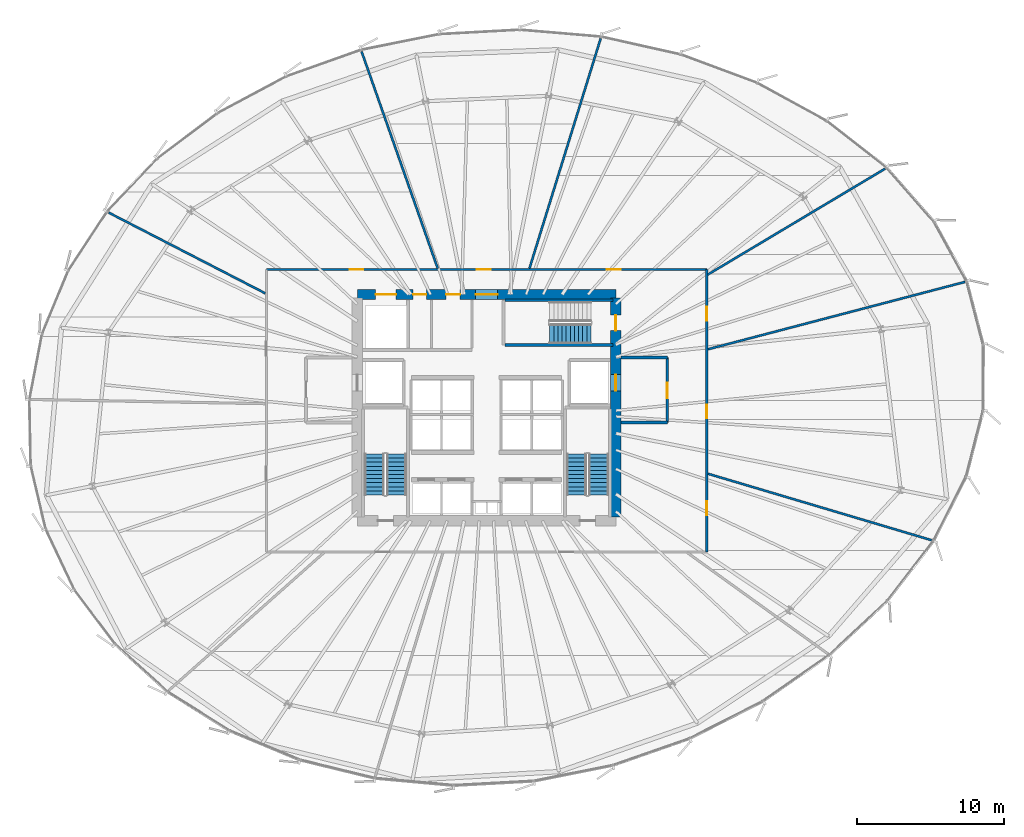
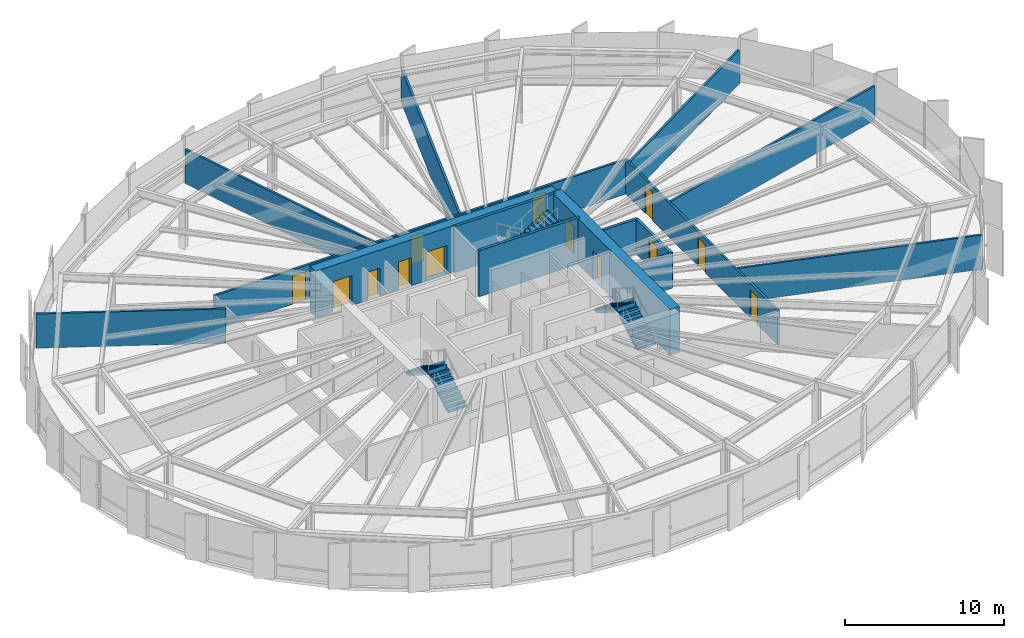
# One storey, part 31 of 37: 15 walls, 13 doors, 5 stair flights, 13 openings, 3 elements without a shape of their own.
"""IFC4 building model written with IfcOpenShell, lengths in metres."""

from ifc_helpers import new_model, si_unit, direction, frame, frame_2d, origin, place, context, subcontext, project, spatial, polyline, rectangle, outline, extrude, source, transform, mapped, material, layer, layer_set, type_object, element, fill, aggregate, save


model = new_model("IFC4")

# Units and contexts
model_context = context("Model", 3, precision=1e-05, world=origin(), true_north=direction((0.0, 1.0)))
body_context = subcontext(model_context, "Body", "Model", "MODEL_VIEW")
ifc_project = project(units=[si_unit("LENGTHUNIT", "METRE"), si_unit("AREAUNIT", "SQUARE_METRE"), si_unit("VOLUMEUNIT", "CUBIC_METRE"), si_unit("PLANEANGLEUNIT", "RADIAN"), si_unit("MASSUNIT", "GRAM", prefix="KILO"), si_unit("THERMODYNAMICTEMPERATUREUNIT", "KELVIN")], contexts=[model_context])

# Site, building, storey
site_placement = place(None, origin())
site = spatial("IfcSite", under=ifc_project, at=site_placement, CompositionType="ELEMENT")
building_placement = place(site_placement, origin())
building = spatial("IfcBuilding", under=site, at=building_placement, Name="Kethvar Cultural Tower", CompositionType="ELEMENT")
storey_placement = place(building_placement, frame((0.0, 0.0, 60.0)))
storey = spatial("IfcBuildingStorey", under=building, at=storey_placement, Name="L14", CompositionType="ELEMENT", Elevation=60.0)

# Wall, openings, doors
ifc_material_1 = material(Name="Concrete C60/75", Category="concrete")
ifc_layer_1 = layer(ifc_material_1, 0.699951171875, Name="Concrete C60/75", Category="concrete")
ifc_layer_set_1 = layer_set([ifc_layer_1], Name="Concrete C60/75 (700 mm)")
wall_type_1 = type_object("IfcWallType", Name="WL-CORE-700", PredefinedType="SHEAR", material=ifc_layer_set_1)
wall_1_placement = place(storey_placement, frame((55.60009765625, 35.5, 0.0), z_axis=(0.0, 0.0, 1.0), x_axis=(-1.0, 0.0, 0.0)))
wall_1 = element("IfcWall", 1, at=wall_1_placement, inside=storey, type_object=wall_type_1, Name="L14 Core Shear Wall N", PredefinedType="SHEAR", context=body_context, shape_type="SweptSolid", body=[
    extrude(rectangle(XDim=17.60009765625, YDim=0.699951171875, at=frame_2d((8.800048828125, 0.0))), origin(), (0.0, 0.0, 1.0), 3.550048828125),
])
opening_1_placement = place(wall_1_placement, frame((8.050048828125, 0.0, 0.0)))
opening_1 = element("IfcOpeningElement", 2, at=opening_1_placement, cuts=wall_1, Name="Opening D-L14-LN", PredefinedType="OPENING", context=body_context, shape_type="SweptSolid", body=[
    extrude(rectangle(XDim=1.5, YDim=2.199951171875, at=frame_2d((0.75, 1.10009765625))), frame((0.0, 0.35986328125, 0.0), z_axis=(0.0, -1.0, 0.0), x_axis=(1.0, 0.0, 0.0)), (0.0, 0.0, 1.0), 0.719970703125),
])
opening_2_placement = place(wall_1_placement, frame((14.949951171875, 0.0, 0.0)))
opening_2 = element("IfcOpeningElement", 3, at=opening_2_placement, cuts=wall_1, Name="Opening LD-G1", PredefinedType="OPENING", context=body_context, shape_type="SweptSolid", body=[
    extrude(rectangle(XDim=1.39990234375, YDim=2.300048828125, at=frame_2d((0.699951171875, 1.14990234375))), frame((0.0, 0.35986328125, 0.0), z_axis=(0.0, -1.0, 0.0), x_axis=(1.0, 0.0, 0.0)), (0.0, 0.0, 1.0), 0.719970703125),
])
opening_3_placement = place(wall_1_placement, frame((12.89990234375, 0.0, 0.0)))
opening_3 = element("IfcOpeningElement", 4, at=opening_3_placement, cuts=wall_1, Name="Opening D-L14-W1", PredefinedType="OPENING", context=body_context, shape_type="SweptSolid", body=[
    extrude(rectangle(XDim=0.89990234375, YDim=2.14990234375, at=frame_2d((0.449951171875, 1.074951171875))), frame((0.0, 0.35986328125, 0.0), z_axis=(0.0, -1.0, 0.0), x_axis=(1.0, 0.0, 0.0)), (0.0, 0.0, 1.0), 0.719970703125),
])
opening_4_placement = place(wall_1_placement, frame((10.60009765625, 0.0, 0.0)))
opening_4 = element("IfcOpeningElement", 5, at=opening_4_placement, cuts=wall_1, Name="Opening D-L14-W2", PredefinedType="OPENING", context=body_context, shape_type="SweptSolid", body=[
    extrude(rectangle(XDim=0.949951171875, YDim=2.14990234375, at=frame_2d((0.47509765625, 1.074951171875))), frame((0.0, 0.35986328125, 0.0), z_axis=(0.0, -1.0, 0.0), x_axis=(1.0, 0.0, 0.0)), (0.0, 0.0, 1.0), 0.719970703125),
])
ifc_material_2 = material(Name="Architectural Oak Timber", Category="wood")
door_type_1 = type_object("IfcDoorType", Name="DR-DBL-FD60-1500", OperationType="DOUBLE_DOOR_SINGLE_SWING", PredefinedType="DOOR", material=ifc_material_2)
shared_shape_1 = source(origin(), body_context, "Body", "SweptSolid", [
    extrude(rectangle(XDim=1.5, YDim=2.199951171875, at=frame_2d((0.75, 1.10009765625))), frame((0.0, 0.02490234375, 0.0), z_axis=(0.0, -1.0, 0.0), x_axis=(1.0, 0.0, 0.0)), (0.0, 0.0, 1.0), 0.050048828125),
])
door_1_placement = place(opening_1_placement, origin())
door_1 = element("IfcDoor", 6, at=door_1_placement, inside=storey, type_object=door_type_1, Name="L14 Lift Lobby Concourse Door", OperationType="DOUBLE_DOOR_SINGLE_SWING", OverallHeight=2.199951171875, OverallWidth=1.5, PredefinedType="DOOR", context=body_context, shape_type="MappedRepresentation", body=[
    mapped(shared_shape_1, transform((0.0, 0.0, 0.0), scale=1.0)),
])
fill(opening_1, door_1)
ifc_material_3 = material(Name="Steel S355J2", Category="steel")
door_type_2 = type_object("IfcDoorType", Name="DR-LIFT-SLIDE-1400", OperationType="NOTDEFINED", PredefinedType="DOOR", material=ifc_material_3)
shared_shape_2 = source(origin(), body_context, "Body", "SweptSolid", [
    extrude(rectangle(XDim=1.39990234375, YDim=2.300048828125, at=frame_2d((0.699951171875, 1.14990234375))), frame((0.0, 0.02490234375, 0.0), z_axis=(0.0, -1.0, 0.0), x_axis=(1.0, 0.0, 0.0)), (0.0, 0.0, 1.0), 0.050048828125),
])
door_2_placement = place(opening_2_placement, origin())
door_2 = element("IfcDoor", 7, at=door_2_placement, inside=storey, type_object=door_type_2, Name="L14 Goods Lift Landing Door", OperationType="SLIDING_TO_RIGHT", OverallHeight=2.300048828125, OverallWidth=1.39990234375, PredefinedType="DOOR", context=body_context, shape_type="MappedRepresentation", body=[
    mapped(shared_shape_2, transform((0.0, 0.0, 0.0), scale=1.0)),
])
fill(opening_2, door_2)
door_type_3 = type_object("IfcDoorType", Name="DR-FD30-950", OperationType="NOTDEFINED", PredefinedType="DOOR", material=ifc_material_2)
shared_shape_3 = source(origin(), body_context, "Body", "SweptSolid", [
    extrude(rectangle(XDim=0.949951171875, YDim=2.14990234375, at=frame_2d((0.47509765625, 1.074951171875))), frame((0.0, 0.02490234375, 0.0), z_axis=(0.0, -1.0, 0.0), x_axis=(1.0, 0.0, 0.0)), (0.0, 0.0, 1.0), 0.050048828125),
])
door_3_placement = place(opening_4_placement, origin())
door_3 = element("IfcDoor", 8, at=door_3_placement, inside=storey, type_object=door_type_3, Name="L14 Public Washroom Door", OperationType="SINGLE_SWING_RIGHT", OverallHeight=2.14990234375, OverallWidth=0.949951171875, PredefinedType="DOOR", context=body_context, shape_type="MappedRepresentation", body=[
    mapped(shared_shape_3, transform((0.0, 0.0, 0.0), scale=1.0)),
])
fill(opening_4, door_3)
door_type_4 = type_object("IfcDoorType", Name="DR-FD30-900", OperationType="NOTDEFINED", PredefinedType="DOOR", material=ifc_material_2)
shared_shape_4 = source(origin(), body_context, "Body", "SweptSolid", [
    extrude(rectangle(XDim=0.89990234375, YDim=2.14990234375, at=frame_2d((0.449951171875, 1.074951171875))), frame((0.0, 0.02490234375, 0.0), z_axis=(0.0, -1.0, 0.0), x_axis=(1.0, 0.0, 0.0)), (0.0, 0.0, 1.0), 0.050048828125),
])
door_4_placement = place(opening_3_placement, origin())
door_4 = element("IfcDoor", 9, at=door_4_placement, inside=storey, type_object=door_type_4, Name="L14 Accessible Washroom Door", OperationType="SINGLE_SWING_LEFT", OverallHeight=2.14990234375, OverallWidth=0.89990234375, PredefinedType="DOOR", context=body_context, shape_type="MappedRepresentation", body=[
    mapped(shared_shape_4, transform((0.0, 0.0, 0.0), scale=1.0)),
])
fill(opening_3, door_4)

wall_2_placement = place(storey_placement, frame((55.60009765625, 20.340087890625, 0.0), z_axis=(0.0, 0.0, 1.0), x_axis=(0.0, 1.0, 0.0)))
wall_2 = element("IfcWall", 10, at=wall_2_placement, inside=storey, type_object=wall_type_1, Name="L14 Core Shear Wall E", PredefinedType="SHEAR", context=body_context, shape_type="SweptSolid", body=[
    extrude(rectangle(XDim=14.919921875, YDim=0.699951171875, at=frame_2d((7.4599609375, 0.0))), origin(), (0.0, 0.0, 1.0), 3.550048828125),
])
opening_5_placement = place(wall_2_placement, frame((12.7099609375, 0.0, 0.0)))
opening_5 = element("IfcOpeningElement", 11, at=opening_5_placement, cuts=wall_2, Name="Opening D-L14-S3", PredefinedType="OPENING", context=body_context, shape_type="SweptSolid", body=[
    extrude(rectangle(XDim=1.050048828125, YDim=2.14990234375, at=frame_2d((0.52490234375, 1.074951171875))), frame((0.0, 0.35986328125, 0.0), z_axis=(0.0, -1.0, 0.0), x_axis=(1.0, 0.0, 0.0)), (0.0, 0.0, 1.0), 0.719970703125),
])
opening_6_placement = place(wall_2_placement, frame((8.610107421875, 0.0, 0.0)))
opening_6 = element("IfcOpeningElement", 12, at=opening_6_placement, cuts=wall_2, Name="Opening LD-2", PredefinedType="OPENING", context=body_context, shape_type="SweptSolid", body=[
    extrude(rectangle(XDim=1.10009765625, YDim=2.199951171875, at=frame_2d((0.550048828125, 1.10009765625))), frame((0.0, 0.35986328125, 0.0), z_axis=(0.0, -1.0, 0.0), x_axis=(1.0, 0.0, 0.0)), (0.0, 0.0, 1.0), 0.719970703125),
])
door_type_5 = type_object("IfcDoorType", Name="DR-FD60-1050", OperationType="NOTDEFINED", PredefinedType="DOOR", material=ifc_material_3)
shared_shape_5 = source(origin(), body_context, "Body", "SweptSolid", [
    extrude(rectangle(XDim=1.050048828125, YDim=2.14990234375, at=frame_2d((0.52490234375, 1.074951171875))), frame((0.0, 0.02490234375, 0.0), z_axis=(0.0, -1.0, 0.0), x_axis=(1.0, 0.0, 0.0)), (0.0, 0.0, 1.0), 0.050048828125),
])
door_5_placement = place(opening_5_placement, origin())
door_5 = element("IfcDoor", 13, at=door_5_placement, inside=storey, type_object=door_type_5, Name="L14 Exit Stair 3 Door", OperationType="SINGLE_SWING_LEFT", OverallHeight=2.14990234375, OverallWidth=1.050048828125, PredefinedType="DOOR", context=body_context, shape_type="MappedRepresentation", body=[
    mapped(shared_shape_5, transform((0.0, 0.0, 0.0), scale=1.0)),
])
fill(opening_5, door_5)
door_type_6 = type_object("IfcDoorType", Name="DR-LIFT-SLIDE-1100", OperationType="NOTDEFINED", PredefinedType="DOOR", material=ifc_material_3)
shared_shape_6 = source(origin(), body_context, "Body", "SweptSolid", [
    extrude(rectangle(XDim=1.10009765625, YDim=2.199951171875, at=frame_2d((0.550048828125, 1.10009765625))), frame((0.0, 0.02490234375, 0.0), z_axis=(0.0, -1.0, 0.0), x_axis=(1.0, 0.0, 0.0)), (0.0, 0.0, 1.0), 0.050048828125),
])
door_6_placement = place(opening_6_placement, origin())
door_6 = element("IfcDoor", 14, at=door_6_placement, inside=storey, type_object=door_type_6, Name="L14 Firefighting Lift Landing Door FFL-02", OperationType="SLIDING_TO_RIGHT", OverallHeight=2.199951171875, OverallWidth=1.10009765625, PredefinedType="DOOR", context=body_context, shape_type="MappedRepresentation", body=[
    mapped(shared_shape_6, transform((0.0, 0.0, 0.0), scale=1.0)),
])
fill(opening_6, door_6)

ifc_material_4 = material(Name="Gypsum Fireboard Partition")
ifc_layer_2 = layer(ifc_material_4, 0.14990234375, Name="Gypsum Fireboard Partition")
ifc_layer_set_2 = layer_set([ifc_layer_2], Name="Gypsum Fireboard Partition (150 mm)")
wall_type_2 = type_object("IfcWallType", Name="WL-FIRE-150", PredefinedType="PARTITIONING", material=ifc_layer_set_2)
wall_3_placement = place(storey_placement, frame((61.7900390625, 17.97998046875, 0.0), z_axis=(0.0, 0.0, 1.0), x_axis=(0.0, 1.0, 0.0)))
wall_3 = element("IfcWall", 15, at=wall_3_placement, inside=storey, type_object=wall_type_2, Name="L14 Corridor Rated Wall E", PredefinedType="PARTITIONING", context=body_context, shape_type="SweptSolid", body=[
    extrude(rectangle(XDim=19.219970703125, YDim=0.14990234375, at=frame_2d((9.60986328125, 0.0))), origin(), (0.0, 0.0, 1.0), 2.64501953125),
])
opening_7_placement = place(wall_3_placement, frame((2.4873046875, 0.0, 0.0)))
opening_7 = element("IfcOpeningElement", 16, at=opening_7_placement, cuts=wall_3, Name="Opening D-L14-03", PredefinedType="OPENING", context=body_context, shape_type="SweptSolid", body=[
    extrude(rectangle(XDim=0.949951171875, YDim=2.14990234375, at=frame_2d((0.47509765625, 1.074951171875))), frame((0.0, 0.0849609375, 0.0), z_axis=(0.0, -1.0, 0.0), x_axis=(1.0, 0.0, 0.0)), (0.0, 0.0, 1.0), 0.169921875),
])
opening_8_placement = place(wall_3_placement, frame((9.08251953125, 0.0, 0.0)))
opening_8 = element("IfcOpeningElement", 17, at=opening_8_placement, cuts=wall_3, Name="Opening D-L14-04", PredefinedType="OPENING", context=body_context, shape_type="SweptSolid", body=[
    extrude(rectangle(XDim=0.949951171875, YDim=2.14990234375, at=frame_2d((0.47509765625, 1.074951171875))), frame((0.0, 0.0849609375, 0.0), z_axis=(0.0, -1.0, 0.0), x_axis=(1.0, 0.0, 0.0)), (0.0, 0.0, 1.0), 0.169921875),
])
opening_9_placement = place(wall_3_placement, frame((15.731689453125, 0.0, 0.0)))
opening_9 = element("IfcOpeningElement", 18, at=opening_9_placement, cuts=wall_3, Name="Opening D-L14-05", PredefinedType="OPENING", context=body_context, shape_type="SweptSolid", body=[
    extrude(rectangle(XDim=0.949951171875, YDim=2.14990234375, at=frame_2d((0.47509765625, 1.074951171875))), frame((0.0, 0.0849609375, 0.0), z_axis=(0.0, -1.0, 0.0), x_axis=(1.0, 0.0, 0.0)), (0.0, 0.0, 1.0), 0.169921875),
])
door_7_placement = place(opening_7_placement, origin())
door_7 = element("IfcDoor", 19, at=door_7_placement, inside=storey, type_object=door_type_3, Name="L14 Art Monograph Boutique 03 Door", OperationType="SINGLE_SWING_LEFT", OverallHeight=2.14990234375, OverallWidth=0.949951171875, PredefinedType="DOOR", context=body_context, shape_type="MappedRepresentation", body=[
    mapped(shared_shape_3, transform((0.0, 0.0, 0.0), scale=1.0)),
])
fill(opening_7, door_7)
door_8_placement = place(opening_8_placement, origin())
door_8 = element("IfcDoor", 20, at=door_8_placement, inside=storey, type_object=door_type_3, Name="L14 Poster Edition Shop 04 Door", OperationType="SINGLE_SWING_RIGHT", OverallHeight=2.14990234375, OverallWidth=0.949951171875, PredefinedType="DOOR", context=body_context, shape_type="MappedRepresentation", body=[
    mapped(shared_shape_3, transform((0.0, 0.0, 0.0), scale=1.0)),
])
fill(opening_8, door_8)
door_9_placement = place(opening_9_placement, origin())
door_9 = element("IfcDoor", 21, at=door_9_placement, inside=storey, type_object=door_type_3, Name="L14 Rare Folio Storage 05 Door", OperationType="SINGLE_SWING_LEFT", OverallHeight=2.14990234375, OverallWidth=0.949951171875, PredefinedType="DOOR", context=body_context, shape_type="MappedRepresentation", body=[
    mapped(shared_shape_3, transform((0.0, 0.0, 0.0), scale=1.0)),
])
fill(opening_9, door_9)

wall_4_placement = place(storey_placement, frame((61.7900390625, 37.199951171875, 0.0), z_axis=(0.0, 0.0, 1.0), x_axis=(-1.0, 0.0, 0.0)))
wall_4 = element("IfcWall", 22, at=wall_4_placement, inside=storey, type_object=wall_type_2, Name="L14 Corridor Rated Wall N", PredefinedType="PARTITIONING", context=body_context, shape_type="SweptSolid", body=[
    extrude(rectangle(XDim=29.97998046875, YDim=0.14990234375, at=frame_2d((14.989990234375, 0.0))), origin(), (0.0, 0.0, 1.0), 2.64501953125),
])
opening_10_placement = place(wall_4_placement, frame((5.8623046875, 0.0, 0.0)))
opening_10 = element("IfcOpeningElement", 23, at=opening_10_placement, cuts=wall_4, Name="Opening D-L14-06", PredefinedType="OPENING", context=body_context, shape_type="SweptSolid", body=[
    extrude(rectangle(XDim=0.949951171875, YDim=2.14990234375, at=frame_2d((0.47509765625, 1.074951171875))), frame((0.0, 0.0849609375, 0.0), z_axis=(0.0, -1.0, 0.0), x_axis=(1.0, 0.0, 0.0)), (0.0, 0.0, 1.0), 0.169921875),
])
opening_11_placement = place(wall_4_placement, frame((14.71875, 0.0, 0.0)))
opening_11 = element("IfcOpeningElement", 24, at=opening_11_placement, cuts=wall_4, Name="Opening D-L14-07", PredefinedType="OPENING", context=body_context, shape_type="SweptSolid", body=[
    extrude(rectangle(XDim=0.949951171875, YDim=2.14990234375, at=frame_2d((0.47509765625, 1.074951171875))), frame((0.0, 0.0849609375, 0.0), z_axis=(0.0, -1.0, 0.0), x_axis=(1.0, 0.0, 0.0)), (0.0, 0.0, 1.0), 0.169921875),
])
opening_12_placement = place(wall_4_placement, frame((23.36962890625, 0.0, 0.0)))
opening_12 = element("IfcOpeningElement", 25, at=opening_12_placement, cuts=wall_4, Name="Opening D-L14-08", PredefinedType="OPENING", context=body_context, shape_type="SweptSolid", body=[
    extrude(rectangle(XDim=0.949951171875, YDim=2.14990234375, at=frame_2d((0.47509765625, 1.074951171875))), frame((0.0, 0.0849609375, 0.0), z_axis=(0.0, -1.0, 0.0), x_axis=(1.0, 0.0, 0.0)), (0.0, 0.0, 1.0), 0.169921875),
])
door_10_placement = place(opening_10_placement, origin())
door_10 = element("IfcDoor", 26, at=door_10_placement, inside=storey, type_object=door_type_3, Name="L14 Periodicals Reading Lounge 06 Door", OperationType="SINGLE_SWING_RIGHT", OverallHeight=2.14990234375, OverallWidth=0.949951171875, PredefinedType="DOOR", context=body_context, shape_type="MappedRepresentation", body=[
    mapped(shared_shape_3, transform((0.0, 0.0, 0.0), scale=1.0)),
])
fill(opening_10, door_10)
door_11_placement = place(opening_11_placement, origin())
door_11 = element("IfcDoor", 27, at=door_11_placement, inside=storey, type_object=door_type_3, Name="L14 Concourse Visitor Foyer 07 Door", OperationType="SINGLE_SWING_LEFT", OverallHeight=2.14990234375, OverallWidth=0.949951171875, PredefinedType="DOOR", context=body_context, shape_type="MappedRepresentation", body=[
    mapped(shared_shape_3, transform((0.0, 0.0, 0.0), scale=1.0)),
])
fill(opening_11, door_11)
door_12_placement = place(opening_12_placement, origin())
door_12 = element("IfcDoor", 28, at=door_12_placement, inside=storey, type_object=door_type_3, Name="L14 Institute Tea Pantry 08 Door", OperationType="SINGLE_SWING_RIGHT", OverallHeight=2.14990234375, OverallWidth=0.949951171875, PredefinedType="DOOR", context=body_context, shape_type="MappedRepresentation", body=[
    mapped(shared_shape_3, transform((0.0, 0.0, 0.0), scale=1.0)),
])
fill(opening_12, door_12)

# Wall, opening, door
ifc_material_5 = material(Name="Concrete C40/50", Category="concrete")
ifc_layer_3 = layer(ifc_material_5, 0.199951171875, Name="Concrete C40/50", Category="concrete")
ifc_layer_set_3 = layer_set([ifc_layer_3], Name="Concrete C40/50 (200 mm)")
wall_type_3 = type_object("IfcWallType", Name="WL-FIRE-200", PredefinedType="PARTITIONING", material=ifc_layer_set_3)
wall_5_placement = place(storey_placement, frame((59.10009765625, 26.800048828125, 0.0), z_axis=(0.0, 0.0, 1.0), x_axis=(0.0, 1.0, 0.0)))
wall_5 = element("IfcWall", 29, at=wall_5_placement, inside=storey, type_object=wall_type_3, Name="L14 Firefighting Lobby 2 Wall", PredefinedType="PARTITIONING", context=body_context, shape_type="SweptSolid", body=[
    extrude(rectangle(XDim=4.39990234375, YDim=0.199951171875, at=frame_2d((2.199951171875, 0.0))), origin(), (0.0, 0.0, 1.0), 2.64501953125),
])
opening_13_placement = place(wall_5_placement, frame((1.64990234375, 0.0, 0.0)))
opening_13 = element("IfcOpeningElement", 30, at=opening_13_placement, cuts=wall_5, Name="Opening D-L14-F2", PredefinedType="OPENING", context=body_context, shape_type="SweptSolid", body=[
    extrude(rectangle(XDim=1.050048828125, YDim=2.14990234375, at=frame_2d((0.52490234375, 1.074951171875))), frame((0.0, 0.10986328125, 0.0), z_axis=(0.0, -1.0, 0.0), x_axis=(1.0, 0.0, 0.0)), (0.0, 0.0, 1.0), 0.219970703125),
])
door_13_placement = place(opening_13_placement, origin())
door_13 = element("IfcDoor", 31, at=door_13_placement, inside=storey, type_object=door_type_5, Name="L14 Firefighting Lobby 2 Fire Door", OperationType="SINGLE_SWING_LEFT", OverallHeight=2.14990234375, OverallWidth=1.050048828125, PredefinedType="DOOR", context=body_context, shape_type="MappedRepresentation", body=[
    mapped(shared_shape_5, transform((0.0, 0.0, 0.0), scale=1.0)),
])
fill(opening_13, door_13)

# Walls
for number, where, z_axis, x_axis, name in (
    (32, (55.9599609375, 26.800048828125, 0.0), (0.0, 0.0, 1.0), (1.0, 0.0, 0.0), "L14 FF Lobby 2 South Wall"),
    (33, (55.9599609375, 31.199951171875, 0.0), (0.0, 0.0, 1.0), (1.0, 0.0, 0.0), "L14 FF Lobby 2 North Wall"),
):
    element("IfcWall", number, at=place(storey_placement, frame(where, z_axis=z_axis, x_axis=x_axis)), inside=storey, type_object=wall_type_3, Name=name, PredefinedType="PARTITIONING", context=body_context, shape_type="SweptSolid", body=[
        extrude(rectangle(XDim=3.14013671875, YDim=0.199951171875, at=frame_2d((1.570068359375, 0.0))), origin(), (0.0, 0.0, 1.0), 2.64501953125),
    ])
ifc_material_6 = material(Name="Gypsum Acoustic Partition")
ifc_layer_4 = layer(ifc_material_6, 0.14990234375, Name="Gypsum Acoustic Partition")
ifc_layer_set_4 = layer_set([ifc_layer_4], Name="Gypsum Acoustic Partition (150 mm)")
wall_type_4 = type_object("IfcWallType", Name="WL-PART-150", PredefinedType="PARTITIONING", material=ifc_layer_set_4)
wall_6_placement = place(storey_placement, frame((61.86669921875, 23.3017578125, 0.0), z_axis=(0.0, 0.0, 1.0), x_axis=(0.958583733274, -0.284810860578, 0.0)))
element("IfcWall", 34, at=wall_6_placement, inside=storey, type_object=wall_type_4, Name="L14 Radial Partition Wall 04", PredefinedType="PARTITIONING", context=body_context, shape_type="SweptSolid", body=[
    extrude(rectangle(XDim=15.897705078125, YDim=0.14990234375, at=frame_2d((7.94873046875, 0.0))), origin(), (0.0, 0.0, 1.0), 2.64501953125),
])
wall_7_placement = place(storey_placement, frame((61.867431640625, 31.7734375, 0.0), z_axis=(0.0, 0.0, 1.0), x_axis=(0.96734528528, 0.253462224103, 0.0)))
element("IfcWall", 35, at=wall_7_placement, inside=storey, type_object=wall_type_4, Name="L14 Radial Partition Wall 05", PredefinedType="PARTITIONING", context=body_context, shape_type="SweptSolid", body=[
    extrude(rectangle(XDim=18.09130859375, YDim=0.14990234375, at=frame_2d((9.045654296875, 0.0))), origin(), (0.0, 0.0, 1.0), 2.64501953125),
])
wall_8_placement = place(storey_placement, frame((61.858642578125, 36.8564453125, 0.0), z_axis=(0.0, 0.0, 1.0), x_axis=(0.858502804346, 0.512808867834, 0.0)))
element("IfcWall", 36, at=wall_8_placement, inside=storey, type_object=wall_type_4, Name="L14 Radial Partition Wall 06", PredefinedType="PARTITIONING", context=body_context, shape_type="SweptSolid", body=[
    extrude(rectangle(XDim=14.055419921875, YDim=0.14990234375, at=frame_2d((7.02783203125, 0.0))), origin(), (0.0, 0.0, 1.0), 2.64501953125),
])
wall_9_placement = place(storey_placement, frame((49.718994140625, 37.2763671875, 0.0), z_axis=(0.0, 0.0, 1.0), x_axis=(0.295808335605, 0.955247312787, 0.0)))
element("IfcWall", 37, at=wall_9_placement, inside=storey, type_object=wall_type_4, Name="L14 Radial Partition Wall 07", PredefinedType="PARTITIONING", context=body_context, shape_type="SweptSolid", body=[
    extrude(rectangle(XDim=16.389404296875, YDim=0.14990234375, at=frame_2d((8.19482421875, 0.0))), origin(), (0.0, 0.0, 1.0), 2.64501953125),
])
wall_10_placement = place(storey_placement, frame((43.474609375, 37.275390625, 0.0), z_axis=(0.0, 0.0, 1.0), x_axis=(-0.331121104833, 0.943588265047, 0.0)))
element("IfcWall", 38, at=wall_10_placement, inside=storey, type_object=wall_type_4, Name="L14 Radial Partition Wall 08", PredefinedType="PARTITIONING", context=body_context, shape_type="SweptSolid", body=[
    extrude(rectangle(XDim=15.646484375, YDim=0.14990234375, at=frame_2d((7.8232421875, 0.0))), origin(), (0.0, 0.0, 1.0), 2.64501953125),
])
wall_11_placement = place(storey_placement, frame((31.739013671875, 35.581298828125, 0.0), z_axis=(0.0, 0.0, 1.0), x_axis=(-0.888912808973, 0.458076432535, 0.0)))
element("IfcWall", 39, at=wall_11_placement, inside=storey, type_object=wall_type_4, Name="L14 Radial Partition Wall 09", PredefinedType="PARTITIONING", context=body_context, shape_type="SweptSolid", body=[
    extrude(rectangle(XDim=12.0009765625, YDim=0.14990234375, at=frame_2d((6.00048828125, 0.0))), origin(), (0.0, 0.0, 1.0), 2.64501953125),
])
ifc_material_7 = material(Name="Concrete C50/60", Category="concrete")
ifc_layer_5 = layer(ifc_material_7, 0.199951171875, Name="Concrete C50/60", Category="concrete")
ifc_layer_set_5 = layer_set([ifc_layer_5], Name="Concrete C50/60 (200 mm)")
wall_type_5 = type_object("IfcWallType", Name="WL-STSHAFT-200", PredefinedType="SHEAR", material=ifc_layer_set_5)
for number, where, z_axis, x_axis, name in (
    (40, (48.050048828125, 35.110107421875, 0.0), (0.0, 0.0, 1.0), (1.0, 0.0, 0.0), "L14 ST-03 Stair Shaft Wall LEFT"),
    (41, (55.39990234375, 32.050048828125, 0.0), (0.0, 0.0, 1.0), (-1.0, 0.0, 0.0), "L14 ST-03 Stair Shaft Wall RIGHT"),
):
    element("IfcWall", number, at=place(storey_placement, frame(where, z_axis=z_axis, x_axis=x_axis)), inside=storey, type_object=wall_type_5, Name=name, PredefinedType="SHEAR", context=body_context, shape_type="SweptSolid", body=[
        extrude(rectangle(XDim=7.349853515625, YDim=0.199951171875, at=frame_2d((3.6748046875, 0.0))), origin(), (0.0, 0.0, 1.0), 3.550048828125),
    ])

# Stair, stair flights
stair_type = type_object("IfcStairType", Name="ST-DOGLEG-135", PredefinedType="HALF_TURN_STAIR", material=ifc_material_5)
stair_1_placement = place(storey_placement, origin())
stair_1 = element("IfcStair", 42, at=stair_1_placement, inside=storey, type_object=stair_type, Name="L14 Core Exit Stair 1", PredefinedType="HALF_TURN_STAIR")
stair_flight_type = type_object("IfcStairFlightType", Name="FL-STRAIGHT-135", PredefinedType="STRAIGHT", material=ifc_material_5)
stair_flight_1_placement = place(storey_placement, frame((40.675048828125, 21.85009765625, 0.0), z_axis=(0.0, 0.0, 1.0), x_axis=(0.0, 1.0, 0.0)))
stair_flight_1 = element("IfcStairFlight", 43, at=stair_flight_1_placement, type_object=stair_flight_type, Name="ST-01 flight 1", NumberOfRisers=11, NumberOfTreads=10, PredefinedType="STRAIGHT", RiserHeight=0.172727273, TreadLength=0.28, context=body_context, shape_type="SweptSolid", body=[
    extrude(outline(polyline([(-0.0009765625, -0.0009765625), (-0.0009765625, 0.172607421875), (0.280029296875, 0.172607421875), (0.280029296875, 0.345458984375), (0.56005859375, 0.345458984375), (0.56005859375, 0.51806640625), (0.840087890625, 0.51806640625), (0.840087890625, 0.69091796875), (1.1201171875, 0.69091796875), (1.1201171875, 0.863525390625), (1.39990234375, 0.863525390625), (1.39990234375, 1.036376953125), (1.679931640625, 1.036376953125), (1.679931640625, 1.208984375), (1.9599609375, 1.208984375), (1.9599609375, 1.3818359375), (2.239990234375, 1.3818359375), (2.239990234375, 1.554443359375), (2.52001953125, 1.554443359375), (2.52001953125, 1.727294921875), (2.800048828125, 1.727294921875), (2.800048828125, 1.89990234375), (2.801025390625, 1.89990234375), (2.801025390625, 1.551025390625), (0.285400390625, 0.0), (0.0, -0.0009765625), (-0.0009765625, -0.0009765625)])), frame((0.0, 0.675048828125, 0.0), z_axis=(0.0, -1.0, 0.0), x_axis=(1.0, 0.0, 0.0)), (0.0, 0.0, 1.0), 1.35009765625),
])
stair_flight_2_placement = place(storey_placement, frame((39.1650390625, 24.64990234375, 1.89990234375), z_axis=(0.0, 0.0, 1.0), x_axis=(0.0, -1.0, 0.0)))
stair_flight_2 = element("IfcStairFlight", 44, at=stair_flight_2_placement, type_object=stair_flight_type, Name="ST-01 flight 2", NumberOfRisers=11, NumberOfTreads=10, PredefinedType="STRAIGHT", RiserHeight=0.172727273, TreadLength=0.28, context=body_context, shape_type="SweptSolid", body=[
    extrude(outline(polyline([(-0.0009765625, -0.0009765625), (-0.0009765625, 0.172607421875), (0.280029296875, 0.172607421875), (0.280029296875, 0.345458984375), (0.56005859375, 0.345458984375), (0.56005859375, 0.51806640625), (0.840087890625, 0.51806640625), (0.840087890625, 0.69091796875), (1.1201171875, 0.69091796875), (1.1201171875, 0.863525390625), (1.39990234375, 0.863525390625), (1.39990234375, 1.036376953125), (1.679931640625, 1.036376953125), (1.679931640625, 1.208984375), (1.9599609375, 1.208984375), (1.9599609375, 1.3818359375), (2.239990234375, 1.3818359375), (2.239990234375, 1.554443359375), (2.52001953125, 1.554443359375), (2.52001953125, 1.727294921875), (2.800048828125, 1.727294921875), (2.800048828125, 1.89990234375), (2.801025390625, 1.89990234375), (2.801025390625, 1.551025390625), (0.285400390625, 0.0), (0.0, -0.0009765625), (-0.0009765625, -0.0009765625)])), frame((0.0, 0.675048828125, 0.0), z_axis=(0.0, -1.0, 0.0), x_axis=(1.0, 0.0, 0.0)), (0.0, 0.0, 1.0), 1.35009765625),
])
aggregate(stair_1, [stair_flight_1, stair_flight_2])

stair_2_placement = place(storey_placement, origin())
stair_2 = element("IfcStair", 45, at=stair_2_placement, inside=storey, type_object=stair_type, Name="L14 Core Exit Stair 2", PredefinedType="HALF_TURN_STAIR")
stair_flight_3_placement = place(storey_placement, frame((54.43505859375, 21.85009765625, 0.0), z_axis=(0.0, 0.0, 1.0), x_axis=(0.0, 1.0, 0.0)))
stair_flight_3 = element("IfcStairFlight", 46, at=stair_flight_3_placement, type_object=stair_flight_type, Name="ST-02 flight 1", NumberOfRisers=11, NumberOfTreads=10, PredefinedType="STRAIGHT", RiserHeight=0.172727273, TreadLength=0.28, context=body_context, shape_type="SweptSolid", body=[
    extrude(outline(polyline([(-0.0009765625, -0.0009765625), (-0.0009765625, 0.172607421875), (0.280029296875, 0.172607421875), (0.280029296875, 0.345458984375), (0.56005859375, 0.345458984375), (0.56005859375, 0.51806640625), (0.840087890625, 0.51806640625), (0.840087890625, 0.69091796875), (1.1201171875, 0.69091796875), (1.1201171875, 0.863525390625), (1.39990234375, 0.863525390625), (1.39990234375, 1.036376953125), (1.679931640625, 1.036376953125), (1.679931640625, 1.208984375), (1.9599609375, 1.208984375), (1.9599609375, 1.3818359375), (2.239990234375, 1.3818359375), (2.239990234375, 1.554443359375), (2.52001953125, 1.554443359375), (2.52001953125, 1.727294921875), (2.800048828125, 1.727294921875), (2.800048828125, 1.89990234375), (2.801025390625, 1.89990234375), (2.801025390625, 1.551025390625), (0.285400390625, 0.0), (0.0, -0.0009765625), (-0.0009765625, -0.0009765625)])), frame((0.0, 0.675048828125, 0.0), z_axis=(0.0, -1.0, 0.0), x_axis=(1.0, 0.0, 0.0)), (0.0, 0.0, 1.0), 1.35009765625),
])
stair_flight_4_placement = place(storey_placement, frame((52.925048828125, 24.64990234375, 1.89990234375), z_axis=(0.0, 0.0, 1.0), x_axis=(0.0, -1.0, 0.0)))
stair_flight_4 = element("IfcStairFlight", 47, at=stair_flight_4_placement, type_object=stair_flight_type, Name="ST-02 flight 2", NumberOfRisers=11, NumberOfTreads=10, PredefinedType="STRAIGHT", RiserHeight=0.172727273, TreadLength=0.28, context=body_context, shape_type="SweptSolid", body=[
    extrude(outline(polyline([(-0.0009765625, -0.0009765625), (-0.0009765625, 0.172607421875), (0.280029296875, 0.172607421875), (0.280029296875, 0.345458984375), (0.56005859375, 0.345458984375), (0.56005859375, 0.51806640625), (0.840087890625, 0.51806640625), (0.840087890625, 0.69091796875), (1.1201171875, 0.69091796875), (1.1201171875, 0.863525390625), (1.39990234375, 0.863525390625), (1.39990234375, 1.036376953125), (1.679931640625, 1.036376953125), (1.679931640625, 1.208984375), (1.9599609375, 1.208984375), (1.9599609375, 1.3818359375), (2.239990234375, 1.3818359375), (2.239990234375, 1.554443359375), (2.52001953125, 1.554443359375), (2.52001953125, 1.727294921875), (2.800048828125, 1.727294921875), (2.800048828125, 1.89990234375), (2.801025390625, 1.89990234375), (2.801025390625, 1.551025390625), (0.285400390625, 0.0), (0.0, -0.0009765625), (-0.0009765625, -0.0009765625)])), frame((0.0, 0.675048828125, 0.0), z_axis=(0.0, -1.0, 0.0), x_axis=(1.0, 0.0, 0.0)), (0.0, 0.0, 1.0), 1.35009765625),
])
aggregate(stair_2, [stair_flight_3, stair_flight_4])

# Stair, stair flight
stair_3_placement = place(storey_placement, origin())
stair_3 = element("IfcStair", 48, at=stair_3_placement, inside=storey, type_object=stair_type, Name="L14 Core Exit Stair 3", PredefinedType="HALF_TURN_STAIR")
stair_flight_5_placement = place(storey_placement, frame((51.10009765625, 32.824951171875, 1.89990234375), z_axis=(0.0, 0.0, 1.0), x_axis=(1.0, 0.0, 0.0)))
stair_flight_5 = element("IfcStairFlight", 49, at=stair_flight_5_placement, type_object=stair_flight_type, Name="ST-03 flight 2", NumberOfRisers=11, NumberOfTreads=10, PredefinedType="STRAIGHT", RiserHeight=0.172727273, TreadLength=0.28, context=body_context, shape_type="SweptSolid", body=[
    extrude(outline(polyline([(-0.0009765625, -0.0009765625), (-0.0009765625, 0.172607421875), (0.280029296875, 0.172607421875), (0.280029296875, 0.345458984375), (0.56005859375, 0.345458984375), (0.56005859375, 0.51806640625), (0.840087890625, 0.51806640625), (0.840087890625, 0.69091796875), (1.1201171875, 0.69091796875), (1.1201171875, 0.863525390625), (1.39990234375, 0.863525390625), (1.39990234375, 1.036376953125), (1.679931640625, 1.036376953125), (1.679931640625, 1.208984375), (1.9599609375, 1.208984375), (1.9599609375, 1.3818359375), (2.239990234375, 1.3818359375), (2.239990234375, 1.554443359375), (2.52001953125, 1.554443359375), (2.52001953125, 1.727294921875), (2.800048828125, 1.727294921875), (2.800048828125, 1.89990234375), (2.801025390625, 1.89990234375), (2.801025390625, 1.551025390625), (0.285400390625, 0.0), (0.0, -0.0009765625), (-0.0009765625, -0.0009765625)])), frame((0.0, 0.675048828125, 0.0), z_axis=(0.0, -1.0, 0.0), x_axis=(1.0, 0.0, 0.0)), (0.0, 0.0, 1.0), 1.35009765625),
])
aggregate(stair_3, [stair_flight_5])

save(model, "model.ifc")
